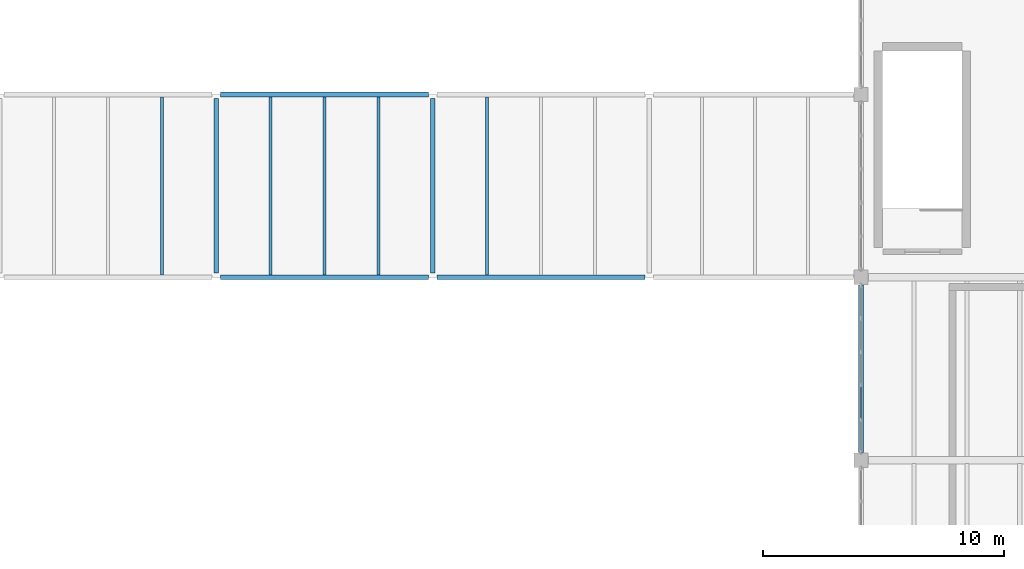
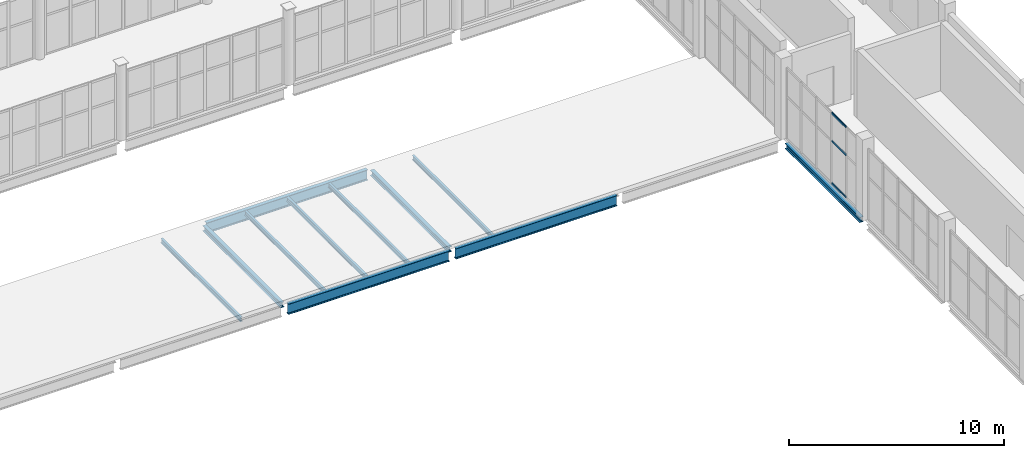
# One storey, part 75 of 136: 11 beams, 3 members, 1 element without a shape of its own.
"""IFC4 building model written with IfcOpenShell, lengths in metres."""

from ifc_helpers import new_model, si_unit, direction, frame, origin, origin_2d, place, context, subcontext, project, spatial, hollow_rectangle, i_section, extrude, material, material_profile, profile_set, type_object, element, aggregate, save


model = new_model("IFC4")

# Units and contexts
model_context = context("Model", 3, precision=1e-05, world=origin(), true_north=direction((0.0, 1.0)))
body_context = subcontext(model_context, "Body", "Model", "MODEL_VIEW")
ifc_project = project(units=[si_unit("LENGTHUNIT", "METRE"), si_unit("AREAUNIT", "SQUARE_METRE"), si_unit("VOLUMEUNIT", "CUBIC_METRE"), si_unit("PLANEANGLEUNIT", "RADIAN"), si_unit("MASSUNIT", "GRAM", prefix="KILO")], contexts=[model_context])

# Site, building, storey
site_placement = place(None, origin())
site = spatial("IfcSite", under=ifc_project, at=site_placement, CompositionType="ELEMENT")
building_placement = place(site_placement, origin())
building = spatial("IfcBuilding", under=site, at=building_placement, Name="Shengluoqiao Park Theatre", CompositionType="ELEMENT")
storey_placement = place(building_placement, frame((0.0, 0.0, 10.0)))
storey = spatial("IfcBuildingStorey", under=building, at=storey_placement, Name="L02", CompositionType="ELEMENT", Elevation=10.0)

# Curtain wall, members
ifc_material_1 = material(Name="Aluminium 6063-T6", Category="aluminium")
curtain_wall_type = type_object("IfcCurtainWallType", Name="ENV-CW-COURT", PredefinedType="NOTDEFINED", material=ifc_material_1)
curtain_wall_placement = place(storey_placement, origin())
curtain_wall = element("IfcCurtainWall", 1, at=curtain_wall_placement, inside=storey, type_object=curtain_wall_type, Name="L02 Curtain Wall CWX-L02-0195", PredefinedType="NOTDEFINED")
ifc_material_profile_1 = material_profile(ifc_material_1, hollow_rectangle(XDim=0.06005859375, YDim=0.1201171875, WallThickness=0.00390625, InnerFilletRadius=0.00390625, OuterFilletRadius=0.008056640625, at=origin_2d()), Name="ALU TRANSOM 120x60x4")
ifc_profile_set_1 = profile_set([ifc_material_profile_1], Name="Aluminium 6063-T6")
member_type = type_object("IfcMemberType", Name="ENV-TRN-120", PredefinedType="USERDEFINED", material=ifc_profile_set_1)
member_1_placement = place(storey_placement, frame((157.199951171875, 47.33251953125, 0.030029296875), z_axis=(0.0, 1.0, 0.0), x_axis=(-1.0, 0.0, 0.0)))
member_1 = element("IfcMember", 2, at=member_1_placement, type_object=member_type, Name="CW-05 transom 2.1", ObjectType="TRANSOM", PredefinedType="USERDEFINED", context=body_context, shape_type="SweptSolid", body=[
    extrude(hollow_rectangle(XDim=0.06005859375, YDim=0.1201171875, WallThickness=0.00390625, InnerFilletRadius=0.00390625, OuterFilletRadius=0.008056640625, at=origin_2d()), origin(), (0.0, 0.0, 1.0), 1.33837890625),
])
member_2_placement = place(storey_placement, frame((157.199951171875, 47.33251953125, 2.419921875), z_axis=(0.0, 1.0, 0.0), x_axis=(-1.0, 0.0, 0.0)))
member_2 = element("IfcMember", 3, at=member_2_placement, type_object=member_type, Name="CW-05 transom 2.2", ObjectType="TRANSOM", PredefinedType="USERDEFINED", context=body_context, shape_type="SweptSolid", body=[
    extrude(hollow_rectangle(XDim=0.06005859375, YDim=0.1201171875, WallThickness=0.00390625, InnerFilletRadius=0.00390625, OuterFilletRadius=0.008056640625, at=origin_2d()), origin(), (0.0, 0.0, 1.0), 1.33837890625),
])
member_3_placement = place(storey_placement, frame((157.199951171875, 47.33251953125, 4.00390625), z_axis=(0.0, 1.0, 0.0), x_axis=(-1.0, 0.0, 0.0)))
member_3 = element("IfcMember", 4, at=member_3_placement, type_object=member_type, Name="CW-05 transom 2.3", ObjectType="TRANSOM", PredefinedType="USERDEFINED", context=body_context, shape_type="SweptSolid", body=[
    extrude(hollow_rectangle(XDim=0.06005859375, YDim=0.1201171875, WallThickness=0.00390625, InnerFilletRadius=0.00390625, OuterFilletRadius=0.008056640625, at=origin_2d()), origin(), (0.0, 0.0, 1.0), 1.33837890625),
])
aggregate(curtain_wall, [member_1, member_2, member_3])

# Beams
ifc_material_2 = material(Name="Steel Q355", Category="steel")
ifc_material_profile_2 = material_profile(ifc_material_2, i_section(OverallWidth=0.199951171875, OverallDepth=0.2939453125, WebThickness=0.008056640625, FlangeThickness=0.011962890625, FilletRadius=0.01611328125, at=origin_2d()), Name="HM 294x200x8x12")
ifc_profile_set_2 = profile_set([ifc_material_profile_2], Name="Steel Q355")
beam_type_1 = type_object("IfcBeamType", Name="STR-BM-G-HM294", PredefinedType="BEAM", material=ifc_profile_set_2)
beam_placement = place(storey_placement, frame((157.199951171875, 45.9189453125, -0.386962890625), z_axis=(0.0, 1.0, 0.0), x_axis=(-1.0, 0.0, 0.0)))
element("IfcBeam", 5, at=beam_placement, inside=storey, type_object=beam_type_1, Name="L02 Transverse Girder 01155", PredefinedType="BEAM", context=body_context, shape_type="SweptSolid", body=[
    extrude(i_section(OverallWidth=0.199951171875, OverallDepth=0.2939453125, WebThickness=0.008056640625, FlangeThickness=0.011962890625, FilletRadius=0.01611328125, at=origin_2d()), origin(), (0.0, 0.0, 1.0), 6.962158203125),
])
for number, where, z_axis, x_axis, name in (
    (6, (130.39990234375, 53.3720703125, -0.376953125), (0.0, 1.0, 0.0), (-1.0, 0.0, 0.0), "L02 Transverse Girder 01936"),
    (7, (139.39990234375, 53.3720703125, -0.376953125), (0.0, 1.0, 0.0), (-1.0, 0.0, 0.0), "L02 Transverse Girder 01937"),
):
    element("IfcBeam", number, at=place(storey_placement, frame(where, z_axis=z_axis, x_axis=x_axis)), inside=storey, type_object=beam_type_1, Name=name, PredefinedType="BEAM", context=body_context, shape_type="SweptSolid", body=[
        extrude(i_section(OverallWidth=0.199951171875, OverallDepth=0.2939453125, WebThickness=0.008056640625, FlangeThickness=0.011962890625, FilletRadius=0.01611328125, at=origin_2d()), origin(), (0.0, 0.0, 1.0), 7.255859375),
    ])
ifc_material_profile_3 = material_profile(ifc_material_2, i_section(OverallWidth=0.125, OverallDepth=0.25, WebThickness=0.006103515625, FlangeThickness=0.009033203125, FilletRadius=0.010009765625, at=origin_2d()), Name="HN 250x125x6x9")
ifc_profile_set_3 = profile_set([ifc_material_profile_3], Name="Steel Q355")
beam_type_2 = type_object("IfcBeamType", Name="STR-BM-J-HN250", PredefinedType="JOIST", material=ifc_profile_set_3)
for number, where, z_axis, x_axis, name in (
    (8, (128.14990234375, 53.29443359375, -0.35498046875), (0.0, 1.0, 0.0), (-1.0, 0.0, 0.0), "L02 Composite Joist 01966"),
    (9, (132.64990234375, 53.29443359375, -0.35498046875), (0.0, 1.0, 0.0), (-1.0, 0.0, 0.0), "L02 Composite Joist 01967"),
    (10, (134.89990234375, 53.29443359375, -0.35498046875), (0.0, 1.0, 0.0), (-1.0, 0.0, 0.0), "L02 Composite Joist 01968"),
    (11, (137.14990234375, 53.29443359375, -0.35498046875), (0.0, 1.0, 0.0), (-1.0, 0.0, 0.0), "L02 Composite Joist 01969"),
    (12, (141.64990234375, 53.29443359375, -0.35498046875), (0.0, 1.0, 0.0), (-1.0, 0.0, 0.0), "L02 Composite Joist 01970"),
):
    element("IfcBeam", number, at=place(storey_placement, frame(where, z_axis=z_axis, x_axis=x_axis)), inside=storey, type_object=beam_type_2, Name=name, PredefinedType="JOIST", context=body_context, shape_type="SweptSolid", body=[
        extrude(i_section(OverallWidth=0.125, OverallDepth=0.25, WebThickness=0.006103515625, FlangeThickness=0.009033203125, FilletRadius=0.010009765625, at=origin_2d()), origin(), (0.0, 0.0, 1.0), 7.4111328125),
    ])
ifc_material_profile_4 = material_profile(ifc_material_2, i_section(OverallWidth=0.198974609375, OverallDepth=0.595947265625, WebThickness=0.010009765625, FlangeThickness=0.014892578125, FilletRadius=0.02001953125, at=origin_2d()), Name="HN 596x199x10x15")
ifc_profile_set_4 = profile_set([ifc_material_profile_4], Name="Steel Q355")
beam_type_3 = type_object("IfcBeamType", Name="STR-BM-SP-HN596", PredefinedType="SPANDREL", material=ifc_profile_set_4)
for number, where, z_axis, x_axis, name in (
    (13, (130.572021484375, 53.199951171875, -0.528076171875), (1.0, 0.0, 0.0), (0.0, 1.0, 0.0), "L02 Primary Girder 01911"),
    (14, (139.572021484375, 53.199951171875, -0.528076171875), (1.0, 0.0, 0.0), (0.0, 1.0, 0.0), "L02 Primary Girder 01912"),
    (15, (130.572021484375, 60.800048828125, -0.528076171875), (1.0, 0.0, 0.0), (0.0, 1.0, 0.0), "L02 Primary Girder 01924"),
):
    element("IfcBeam", number, at=place(storey_placement, frame(where, z_axis=z_axis, x_axis=x_axis)), inside=storey, type_object=beam_type_3, Name=name, PredefinedType="SPANDREL", context=body_context, shape_type="SweptSolid", body=[
        extrude(i_section(OverallWidth=0.198974609375, OverallDepth=0.595947265625, WebThickness=0.010009765625, FlangeThickness=0.014892578125, FilletRadius=0.02001953125, at=origin_2d()), origin(), (0.0, 0.0, 1.0), 8.656005859375),
    ])

save(model, "model.ifc")
